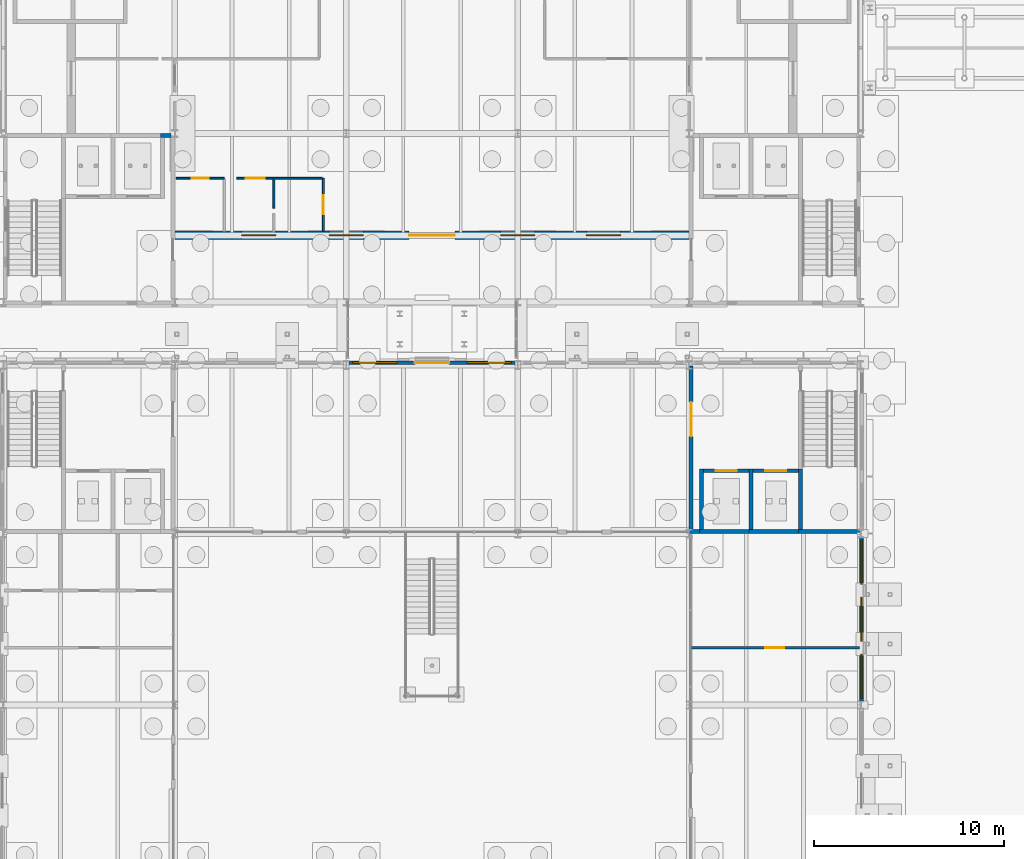
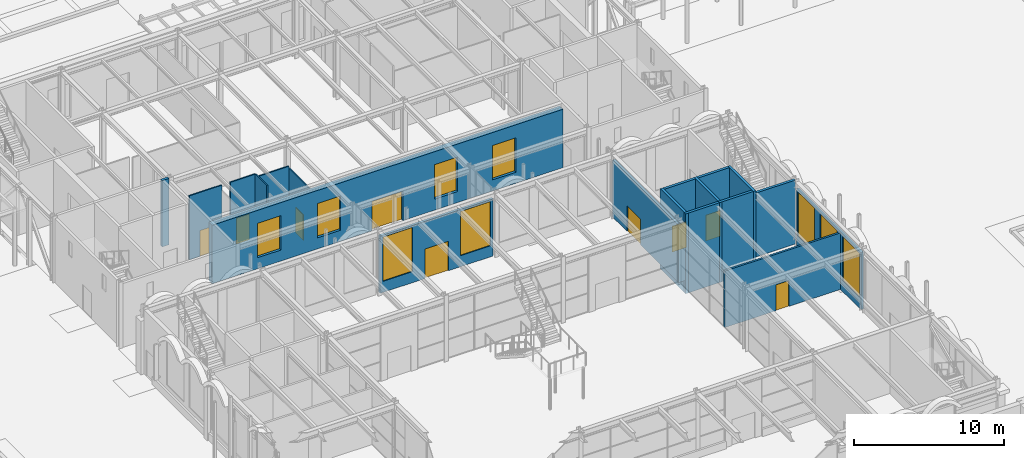
# One storey, part 78 of 126: 20 walls, 9 doors, 9 windows, 18 openings.
"""IFC4 building model written with IfcOpenShell, lengths in metres."""

from ifc_helpers import new_model, si_unit, direction, frame, frame_2d, origin, place, context, subcontext, project, spatial, rectangle, extrude, material, layer, layer_set, type_object, element, fill, save


model = new_model("IFC4")

# Units and contexts
model_context = context("Model", 3, precision=1e-05, world=origin(), true_north=direction((0.0, 1.0)))
body_context = subcontext(model_context, "Body", "Model", "MODEL_VIEW")
ifc_project = project(units=[si_unit("LENGTHUNIT", "METRE"), si_unit("AREAUNIT", "SQUARE_METRE"), si_unit("VOLUMEUNIT", "CUBIC_METRE"), si_unit("PLANEANGLEUNIT", "RADIAN"), si_unit("MASSUNIT", "GRAM", prefix="KILO")], contexts=[model_context])

# Site, building, storey
site_placement = place(None, origin())
site = spatial("IfcSite", under=ifc_project, at=site_placement, CompositionType="ELEMENT")
building_placement = place(site_placement, origin())
building = spatial("IfcBuilding", under=site, at=building_placement, Name="Kallimachos Central Library", CompositionType="ELEMENT")
storey_placement = place(building_placement, origin())
storey = spatial("IfcBuildingStorey", under=building, at=storey_placement, Name="L00", CompositionType="ELEMENT", Elevation=0.0)

# Wall, openings, windows, door
ifc_material_1 = material(Name="Bronze-anodised aluminium louvres on blockwork", Category="masonry")
ifc_layer_1 = layer(ifc_material_1, 0.449951171875)
ifc_layer_set_1 = layer_set([ifc_layer_1], Name="Bronze louvre enclosure wall 450")
wall_type_1 = type_object("IfcWallType", Name="Bronze louvre enclosure wall 450", PredefinedType="SOLIDWALL", material=ifc_layer_set_1)
wall_1_placement = place(storey_placement, frame((74.5, 90.64990234375, 0.0), z_axis=(0.0, 0.0, 1.0), x_axis=(1.0, 0.0, 0.0)))
wall_1 = element("IfcWall", 1, at=wall_1_placement, inside=storey, type_object=wall_type_1, Name="Louvre enclosure wall S L00", PredefinedType="SOLIDWALL", context=body_context, shape_type="SweptSolid", body=[
    extrude(rectangle(XDim=27.0, YDim=0.449951171875, at=frame_2d((13.5, 0.0))), origin(), (0.0, 0.0, 1.0), 4.760009765625),
])
opening_1_placement = place(wall_1_placement, frame((12.300048828125, 0.0, 0.0)))
opening_1 = element("IfcOpeningElement", 2, at=opening_1_placement, cuts=wall_1, Name="Opening D54", PredefinedType="OPENING", context=body_context, shape_type="SweptSolid", body=[
    extrude(rectangle(XDim=2.39990234375, YDim=2.39990234375, at=frame_2d((1.199951171875, 1.199951171875))), frame((0.0, 0.23486328125, 0.0), z_axis=(0.0, -1.0, 0.0), x_axis=(1.0, 0.0, 0.0)), (0.0, 0.0, 1.0), 0.469970703125),
])
opening_2_placement = place(wall_1_placement, frame((3.5, 0.0, 0.89990234375)))
opening_2 = element("IfcOpeningElement", 3, at=opening_2_placement, cuts=wall_1, Name="Opening W29", PredefinedType="OPENING", context=body_context, shape_type="SweptSolid", body=[
    extrude(rectangle(XDim=1.800048828125, YDim=2.800048828125, at=frame_2d((0.89990234375, 1.39990234375))), frame((0.0, 0.23486328125, 0.0), z_axis=(0.0, -1.0, 0.0), x_axis=(1.0, 0.0, 0.0)), (0.0, 0.0, 1.0), 0.469970703125),
])
opening_3_placement = place(wall_1_placement, frame((8.10009765625, 0.0, 0.89990234375)))
opening_3 = element("IfcOpeningElement", 4, at=opening_3_placement, cuts=wall_1, Name="Opening W30", PredefinedType="OPENING", context=body_context, shape_type="SweptSolid", body=[
    extrude(rectangle(XDim=1.800048828125, YDim=2.800048828125, at=frame_2d((0.89990234375, 1.39990234375))), frame((0.0, 0.23486328125, 0.0), z_axis=(0.0, -1.0, 0.0), x_axis=(1.0, 0.0, 0.0)), (0.0, 0.0, 1.0), 0.469970703125),
])
opening_4_placement = place(wall_1_placement, frame((17.10009765625, 0.0, 0.89990234375)))
opening_4 = element("IfcOpeningElement", 5, at=opening_4_placement, cuts=wall_1, Name="Opening W32", PredefinedType="OPENING", context=body_context, shape_type="SweptSolid", body=[
    extrude(rectangle(XDim=1.800048828125, YDim=2.800048828125, at=frame_2d((0.89990234375, 1.39990234375))), frame((0.0, 0.23486328125, 0.0), z_axis=(0.0, -1.0, 0.0), x_axis=(1.0, 0.0, 0.0)), (0.0, 0.0, 1.0), 0.469970703125),
])
opening_5_placement = place(wall_1_placement, frame((21.60009765625, 0.0, 0.89990234375)))
opening_5 = element("IfcOpeningElement", 6, at=opening_5_placement, cuts=wall_1, Name="Opening W33", PredefinedType="OPENING", context=body_context, shape_type="SweptSolid", body=[
    extrude(rectangle(XDim=1.800048828125, YDim=2.800048828125, at=frame_2d((0.89990234375, 1.39990234375))), frame((0.0, 0.23486328125, 0.0), z_axis=(0.0, -1.0, 0.0), x_axis=(1.0, 0.0, 0.0)), (0.0, 0.0, 1.0), 0.469970703125),
])
ifc_material_2 = material(Name="Laminated glass in bronze-anodised aluminium frame", Category="aluminium")
window_type_1 = type_object("IfcWindowType", Name="Base window 1800x2800", PartitioningType="SINGLE_PANEL", PredefinedType="WINDOW", material=ifc_material_2)
window_1_placement = place(opening_2_placement, origin())
window_1 = element("IfcWindow", 7, at=window_1_placement, inside=storey, type_object=window_type_1, Name="V1-WIN-L00-001", OverallHeight=2.800048828125, OverallWidth=1.800048828125, PartitioningType="SINGLE_PANEL", PredefinedType="WINDOW", context=body_context, shape_type="SweptSolid", body=[
    extrude(rectangle(XDim=1.800048828125, YDim=2.800048828125, at=frame_2d((0.89990234375, 1.39990234375))), frame((0.0, 0.030029296875, 0.0), z_axis=(0.0, -1.0, 0.0), x_axis=(1.0, 0.0, 0.0)), (0.0, 0.0, 1.0), 0.06005859375),
])
fill(opening_2, window_1)
window_2_placement = place(opening_3_placement, origin())
window_2 = element("IfcWindow", 8, at=window_2_placement, inside=storey, type_object=window_type_1, Name="V1-WIN-L00-002", OverallHeight=2.800048828125, OverallWidth=1.800048828125, PartitioningType="SINGLE_PANEL", PredefinedType="WINDOW", context=body_context, shape_type="SweptSolid", body=[
    extrude(rectangle(XDim=1.800048828125, YDim=2.800048828125, at=frame_2d((0.89990234375, 1.39990234375))), frame((0.0, 0.030029296875, 0.0), z_axis=(0.0, -1.0, 0.0), x_axis=(1.0, 0.0, 0.0)), (0.0, 0.0, 1.0), 0.06005859375),
])
fill(opening_3, window_2)
window_3_placement = place(opening_4_placement, origin())
window_3 = element("IfcWindow", 9, at=window_3_placement, inside=storey, type_object=window_type_1, Name="V1-WIN-L00-003", OverallHeight=2.800048828125, OverallWidth=1.800048828125, PartitioningType="SINGLE_PANEL", PredefinedType="WINDOW", context=body_context, shape_type="SweptSolid", body=[
    extrude(rectangle(XDim=1.800048828125, YDim=2.800048828125, at=frame_2d((0.89990234375, 1.39990234375))), frame((0.0, 0.030029296875, 0.0), z_axis=(0.0, -1.0, 0.0), x_axis=(1.0, 0.0, 0.0)), (0.0, 0.0, 1.0), 0.06005859375),
])
fill(opening_4, window_3)
window_4_placement = place(opening_5_placement, origin())
window_4 = element("IfcWindow", 10, at=window_4_placement, inside=storey, type_object=window_type_1, Name="V1-WIN-L00-004", OverallHeight=2.800048828125, OverallWidth=1.800048828125, PartitioningType="SINGLE_PANEL", PredefinedType="WINDOW", context=body_context, shape_type="SweptSolid", body=[
    extrude(rectangle(XDim=1.800048828125, YDim=2.800048828125, at=frame_2d((0.89990234375, 1.39990234375))), frame((0.0, 0.030029296875, 0.0), z_axis=(0.0, -1.0, 0.0), x_axis=(1.0, 0.0, 0.0)), (0.0, 0.0, 1.0), 0.06005859375),
])
fill(opening_5, window_4)
ifc_material_3 = material(Name="Glass and anodised aluminium", Category="aluminium")
door_type_1 = type_object("IfcDoorType", Name="Glazed double door 2400 x 2400", OperationType="DOUBLE_DOOR_SINGLE_SWING", PredefinedType="DOOR", material=ifc_material_3)
door_1_placement = place(opening_1_placement, frame((2.39990234375, 0.0, 0.0), z_axis=(0.0, 0.0, 1.0), x_axis=(-1.0, 0.0, 0.0)))
door_1 = element("IfcDoor", 11, at=door_1_placement, inside=storey, type_object=door_type_1, Name="Link Door K2", OperationType="DOUBLE_DOOR_SINGLE_SWING", OverallHeight=2.39990234375, OverallWidth=2.39990234375, PredefinedType="DOOR", context=body_context, shape_type="SweptSolid", body=[
    extrude(rectangle(XDim=2.39990234375, YDim=2.39990234375, at=frame_2d((1.199951171875, 1.199951171875))), frame((0.0, 0.02490234375, 0.0), z_axis=(0.0, -1.0, 0.0), x_axis=(1.0, 0.0, 0.0)), (0.0, 0.0, 1.0), 0.050048828125),
])
fill(opening_1, door_1)

# Wall
ifc_material_4 = material(Name="Concrete C30/37", Category="concrete")
ifc_layer_2 = layer(ifc_material_4, 0.199951171875)
ifc_layer_set_2 = layer_set([ifc_layer_2], Name="Core wall 200")
wall_type_2 = type_object("IfcWallType", Name="Core wall 200", PredefinedType="SOLIDWALL", material=ifc_layer_set_2)
wall_2_placement = place(storey_placement, frame((73.75, 95.89990234375, 0.0), z_axis=(0.0, 0.0, 1.0), x_axis=(1.0, 0.0, 0.0)))
element("IfcWall", 12, at=wall_2_placement, inside=storey, type_object=wall_type_2, Name="Core wall V1-SW N", PredefinedType="SOLIDWALL", context=body_context, shape_type="SweptSolid", body=[
    extrude(rectangle(XDim=0.550048828125, YDim=0.199951171875, at=frame_2d((0.27490234375, 0.0))), origin(), (0.0, 0.0, 1.0), 5.39990234375),
])

# Wall, opening, door
ifc_material_5 = material(Name="Concrete C30/37", Category="concrete")
ifc_layer_3 = layer(ifc_material_5, 0.199951171875)
ifc_layer_set_3 = layer_set([ifc_layer_3], Name="Lift shaft wall 200")
wall_type_3 = type_object("IfcWallType", Name="Lift shaft wall 200", PredefinedType="SOLIDWALL", material=ifc_layer_set_3)
wall_3_placement = place(storey_placement, frame((104.64990234375, 78.300048828125, -1.10009765625), z_axis=(0.0, 0.0, 1.0), x_axis=(1.0, 0.0, 0.0)))
wall_3 = element("IfcWall", 13, at=wall_3_placement, inside=storey, type_object=wall_type_3, Name="V4-WAL-L00-008", PredefinedType="SOLIDWALL", context=body_context, shape_type="SweptSolid", body=[
    extrude(rectangle(XDim=2.60009765625, YDim=0.199951171875, at=frame_2d((1.300048828125, 0.0))), origin(), (0.0, 0.0, 1.0), 6.5),
])
opening_6_placement = place(wall_3_placement, frame((0.85009765625, 0.0, 1.10009765625)))
opening_6 = element("IfcOpeningElement", 14, at=opening_6_placement, cuts=wall_3, Name="Opening LD1100", PredefinedType="OPENING", context=body_context, shape_type="SweptSolid", body=[
    extrude(rectangle(XDim=1.10009765625, YDim=2.10009765625, at=frame_2d((0.550048828125, 1.050048828125))), frame((0.0, 0.10986328125, 0.0), z_axis=(0.0, -1.0, 0.0), x_axis=(1.0, 0.0, 0.0)), (0.0, 0.0, 1.0), 0.219970703125),
])
ifc_material_6 = material(Name="Stainless steel", Category="steel")
door_type_2 = type_object("IfcDoorType", Name="Lift landing door 1100 x 2100", OperationType="SLIDING_TO_LEFT", PredefinedType="DOOR", material=ifc_material_6)
door_2_placement = place(opening_6_placement, origin())
door_2 = element("IfcDoor", 15, at=door_2_placement, inside=storey, type_object=door_type_2, Name="LF9 landing door L00", OperationType="SLIDING_TO_LEFT", OverallHeight=2.10009765625, OverallWidth=1.10009765625, PredefinedType="DOOR", context=body_context, shape_type="SweptSolid", body=[
    extrude(rectangle(XDim=1.10009765625, YDim=2.10009765625, at=frame_2d((0.550048828125, 1.050048828125))), frame((0.0, 0.02490234375, 0.0), z_axis=(0.0, -1.0, 0.0), x_axis=(1.0, 0.0, 0.0)), (0.0, 0.0, 1.0), 0.050048828125),
])
fill(opening_6, door_2)

# Walls
wall_4_placement = place(storey_placement, frame((104.64990234375, 75.10009765625, -1.10009765625), z_axis=(0.0, 0.0, 1.0), x_axis=(1.0, 0.0, 0.0)))
element("IfcWall", 16, at=wall_4_placement, inside=storey, type_object=wall_type_3, Name="V4-WAL-L00-009", PredefinedType="SOLIDWALL", context=body_context, shape_type="SweptSolid", body=[
    extrude(rectangle(XDim=2.60009765625, YDim=0.199951171875, at=frame_2d((1.300048828125, 0.0))), origin(), (0.0, 0.0, 1.0), 6.5),
])
for number, where, z_axis, x_axis, name in (
    (17, (104.75, 75.0, -1.10009765625), (0.0, 0.0, 1.0), (0.0, 1.0, 0.0), "V4-WAL-L00-010"),
    (18, (107.35009765625, 75.0, -1.10009765625), (0.0, 0.0, 1.0), (0.0, 1.0, 0.0), "V4-WAL-L00-011"),
):
    element("IfcWall", number, at=place(storey_placement, frame(where, z_axis=z_axis, x_axis=x_axis)), inside=storey, type_object=wall_type_3, Name=name, PredefinedType="SOLIDWALL", context=body_context, shape_type="SweptSolid", body=[
        extrude(rectangle(XDim=3.39990234375, YDim=0.199951171875, at=frame_2d((1.699951171875, 0.0))), origin(), (0.0, 0.0, 1.0), 6.5),
    ])

# Wall, opening, door
wall_5_placement = place(storey_placement, frame((102.25, 78.300048828125, -1.10009765625), z_axis=(0.0, 0.0, 1.0), x_axis=(1.0, 0.0, 0.0)))
wall_5 = element("IfcWall", 19, at=wall_5_placement, inside=storey, type_object=wall_type_3, Name="V4-WAL-L00-012", PredefinedType="SOLIDWALL", context=body_context, shape_type="SweptSolid", body=[
    extrude(rectangle(XDim=2.39990234375, YDim=0.199951171875, at=frame_2d((1.199951171875, 0.0))), origin(), (0.0, 0.0, 1.0), 6.5),
])
opening_7_placement = place(wall_5_placement, frame((0.64990234375, 0.0, 1.10009765625)))
opening_7 = element("IfcOpeningElement", 20, at=opening_7_placement, cuts=wall_5, Name="Opening LD1100", PredefinedType="OPENING", context=body_context, shape_type="SweptSolid", body=[
    extrude(rectangle(XDim=1.10009765625, YDim=2.10009765625, at=frame_2d((0.550048828125, 1.050048828125))), frame((0.0, 0.10986328125, 0.0), z_axis=(0.0, -1.0, 0.0), x_axis=(1.0, 0.0, 0.0)), (0.0, 0.0, 1.0), 0.219970703125),
])
door_3_placement = place(opening_7_placement, origin())
door_3 = element("IfcDoor", 21, at=door_3_placement, inside=storey, type_object=door_type_2, Name="LF10 landing door L00", OperationType="SLIDING_TO_LEFT", OverallHeight=2.10009765625, OverallWidth=1.10009765625, PredefinedType="DOOR", context=body_context, shape_type="SweptSolid", body=[
    extrude(rectangle(XDim=1.10009765625, YDim=2.10009765625, at=frame_2d((0.550048828125, 1.050048828125))), frame((0.0, 0.02490234375, 0.0), z_axis=(0.0, -1.0, 0.0), x_axis=(1.0, 0.0, 0.0)), (0.0, 0.0, 1.0), 0.050048828125),
])
fill(opening_7, door_3)

# Walls
wall_6_placement = place(storey_placement, frame((102.050048828125, 75.10009765625, -1.10009765625), z_axis=(0.0, 0.0, 1.0), x_axis=(1.0, 0.0, 0.0)))
element("IfcWall", 22, at=wall_6_placement, inside=storey, type_object=wall_type_3, Name="V4-WAL-L00-013", PredefinedType="SOLIDWALL", context=body_context, shape_type="SweptSolid", body=[
    extrude(rectangle(XDim=2.599853515625, YDim=0.199951171875, at=frame_2d((1.2998046875, 0.0))), origin(), (0.0, 0.0, 1.0), 6.5),
])
wall_7_placement = place(storey_placement, frame((102.14990234375, 75.0, -1.10009765625), z_axis=(0.0, 0.0, 1.0), x_axis=(0.0, 1.0, 0.0)))
element("IfcWall", 23, at=wall_7_placement, inside=storey, type_object=wall_type_3, Name="V4-WAL-L00-014", PredefinedType="SOLIDWALL", context=body_context, shape_type="SweptSolid", body=[
    extrude(rectangle(XDim=3.39990234375, YDim=0.199951171875, at=frame_2d((1.699951171875, 0.0))), origin(), (0.0, 0.0, 1.0), 6.5),
])

# Wall, opening, door
ifc_material_7 = material(Name="Plasterboard on steel studs", Category="steel")
ifc_layer_4 = layer(ifc_material_7, 0.10009765625)
ifc_layer_set_4 = layer_set([ifc_layer_4], Name="Partition 100")
wall_type_4 = type_object("IfcWallType", Name="Partition 100", PredefinedType="PARTITIONING", material=ifc_layer_set_4)
wall_8_placement = place(storey_placement, frame((82.300048828125, 90.875, 0.0), z_axis=(0.0, 0.0, 1.0), x_axis=(0.0, 1.0, 0.0)))
wall_8 = element("IfcWall", 24, at=wall_8_placement, inside=storey, type_object=wall_type_4, Name="Partition", PredefinedType="PARTITIONING", context=body_context, shape_type="SweptSolid", body=[
    extrude(rectangle(XDim=2.77490234375, YDim=0.10009765625, at=frame_2d((1.387451171875, 0.0))), origin(), (0.0, 0.0, 1.0), 4.760009765625),
])
opening_8_placement = place(wall_8_placement, frame((0.887451171875, 0.0, 0.0)))
opening_8 = element("IfcOpeningElement", 25, at=opening_8_placement, cuts=wall_8, Name="Opening D248", PredefinedType="OPENING", context=body_context, shape_type="SweptSolid", body=[
    extrude(rectangle(XDim=1.0, YDim=2.10009765625, at=frame_2d((0.5, 1.050048828125))), frame((0.0, 0.06005859375, 0.0), z_axis=(0.0, -1.0, 0.0), x_axis=(1.0, 0.0, 0.0)), (0.0, 0.0, 1.0), 0.1201171875),
])
ifc_material_8 = material(Name="Oak veneered door leaf")
door_type_3 = type_object("IfcDoorType", Name="Single leaf door EI2 30 1000 x 2100", OperationType="NOTDEFINED", PredefinedType="DOOR", material=ifc_material_8)
door_4_placement = place(opening_8_placement, origin())
door_4 = element("IfcDoor", 26, at=door_4_placement, inside=storey, type_object=door_type_3, Name="V1-DOR-L00-024", OperationType="SINGLE_SWING_LEFT", OverallHeight=2.10009765625, OverallWidth=1.0, PredefinedType="DOOR", context=body_context, shape_type="SweptSolid", body=[
    extrude(rectangle(XDim=1.0, YDim=2.10009765625, at=frame_2d((0.5, 1.050048828125))), frame((0.0, 0.02490234375, 0.0), z_axis=(0.0, -1.0, 0.0), x_axis=(1.0, 0.0, 0.0)), (0.0, 0.0, 1.0), 0.050048828125),
])
fill(opening_8, door_4)

# Wall
wall_9_placement = place(storey_placement, frame((82.25, 93.64990234375, 0.0), z_axis=(0.0, 0.0, 1.0), x_axis=(-1.0, 0.0, 0.0)))
element("IfcWall", 27, at=wall_9_placement, inside=storey, type_object=wall_type_4, Name="Partition", PredefinedType="PARTITIONING", context=body_context, shape_type="SweptSolid", body=[
    extrude(rectangle(XDim=2.550048828125, YDim=0.10009765625, at=frame_2d((1.27490234375, 0.0))), origin(), (0.0, 0.0, 1.0), 4.929931640625),
])

# Wall, opening, door
wall_10_placement = place(storey_placement, frame((79.699951171875, 93.64990234375, 0.0), z_axis=(0.0, 0.0, 1.0), x_axis=(-1.0, 0.0, 0.0)))
wall_10 = element("IfcWall", 28, at=wall_10_placement, inside=storey, type_object=wall_type_4, Name="Partition", PredefinedType="PARTITIONING", context=body_context, shape_type="SweptSolid", body=[
    extrude(rectangle(XDim=1.9609375, YDim=0.10009765625, at=frame_2d((0.98046875, 0.0))), origin(), (0.0, 0.0, 1.0), 5.199951171875),
])
opening_9_placement = place(wall_10_placement, frame((0.48046875, 0.0, 0.0)))
opening_9 = element("IfcOpeningElement", 29, at=opening_9_placement, cuts=wall_10, Name="Opening D247", PredefinedType="OPENING", context=body_context, shape_type="SweptSolid", body=[
    extrude(rectangle(XDim=1.0, YDim=2.10009765625, at=frame_2d((0.5, 1.050048828125))), frame((0.0, 0.06005859375, 0.0), z_axis=(0.0, -1.0, 0.0), x_axis=(1.0, 0.0, 0.0)), (0.0, 0.0, 1.0), 0.1201171875),
])
door_5_placement = place(opening_9_placement, origin())
door_5 = element("IfcDoor", 30, at=door_5_placement, inside=storey, type_object=door_type_3, Name="V1-DOR-L00-023", OperationType="SINGLE_SWING_RIGHT", OverallHeight=2.10009765625, OverallWidth=1.0, PredefinedType="DOOR", context=body_context, shape_type="SweptSolid", body=[
    extrude(rectangle(XDim=1.0, YDim=2.10009765625, at=frame_2d((0.5, 1.050048828125))), frame((0.0, 0.02490234375, 0.0), z_axis=(0.0, -1.0, 0.0), x_axis=(1.0, 0.0, 0.0)), (0.0, 0.0, 1.0), 0.050048828125),
])
fill(opening_9, door_5)

wall_11_placement = place(storey_placement, frame((77.10009765625, 93.64990234375, 0.0), z_axis=(0.0, 0.0, 1.0), x_axis=(-1.0, 0.0, 0.0)))
wall_11 = element("IfcWall", 31, at=wall_11_placement, inside=storey, type_object=wall_type_4, Name="Partition", PredefinedType="PARTITIONING", context=body_context, shape_type="SweptSolid", body=[
    extrude(rectangle(XDim=2.52001953125, YDim=0.10009765625, at=frame_2d((1.260009765625, 0.0))), origin(), (0.0, 0.0, 1.0), 5.199951171875),
])
opening_10_placement = place(wall_11_placement, frame((0.81005859375, 0.0, 0.0)))
opening_10 = element("IfcOpeningElement", 32, at=opening_10_placement, cuts=wall_11, Name="Opening D246", PredefinedType="OPENING", context=body_context, shape_type="SweptSolid", body=[
    extrude(rectangle(XDim=0.89990234375, YDim=2.10009765625, at=frame_2d((0.449951171875, 1.050048828125))), frame((0.0, 0.06005859375, 0.0), z_axis=(0.0, -1.0, 0.0), x_axis=(1.0, 0.0, 0.0)), (0.0, 0.0, 1.0), 0.1201171875),
])
ifc_material_9 = material(Name="Oak veneered door leaf")
door_type_4 = type_object("IfcDoorType", Name="Accessible WC door EI2 30 900 x 2100", OperationType="NOTDEFINED", PredefinedType="DOOR", material=ifc_material_9)
door_6_placement = place(opening_10_placement, origin())
door_6 = element("IfcDoor", 33, at=door_6_placement, inside=storey, type_object=door_type_4, Name="V1-DOR-L00-022", OperationType="SINGLE_SWING_RIGHT", OverallHeight=2.10009765625, OverallWidth=0.89990234375, PredefinedType="DOOR", context=body_context, shape_type="SweptSolid", body=[
    extrude(rectangle(XDim=0.89990234375, YDim=2.10009765625, at=frame_2d((0.449951171875, 1.050048828125))), frame((0.0, 0.02490234375, 0.0), z_axis=(0.0, -1.0, 0.0), x_axis=(1.0, 0.0, 0.0)), (0.0, 0.0, 1.0), 0.050048828125),
])
fill(opening_10, door_6)

# Wall
wall_12_placement = place(storey_placement, frame((79.699951171875, 93.60009765625, 0.0), z_axis=(0.0, 0.0, 1.0), x_axis=(0.0, -1.0, 0.0)))
element("IfcWall", 34, at=wall_12_placement, inside=storey, type_object=wall_type_4, Name="Partition", PredefinedType="PARTITIONING", context=body_context, shape_type="SweptSolid", body=[
    extrude(rectangle(XDim=1.51171875, YDim=0.10009765625, at=frame_2d((0.755859375, 0.0))), origin(), (0.0, 0.0, 1.0), 5.199951171875),
])

# Wall, opening, door
ifc_material_10 = material(Name="Gypsum board on steel studs", Category="steel")
ifc_layer_5 = layer(ifc_material_10, 0.14990234375)
ifc_layer_set_5 = layer_set([ifc_layer_5], Name="Partition wall 150")
wall_type_5 = type_object("IfcWallType", Name="Partition wall 150", PredefinedType="PARTITIONING", material=ifc_layer_set_5)
wall_13_placement = place(storey_placement, frame((101.550048828125, 69.0, 0.0), z_axis=(0.0, 0.0, 1.0), x_axis=(1.0, 0.0, 0.0)))
wall_13 = element("IfcWall", 35, at=wall_13_placement, inside=storey, type_object=wall_type_5, Name="L00 partition", PredefinedType="PARTITIONING", context=body_context, shape_type="SweptSolid", body=[
    extrude(rectangle(XDim=8.89990234375, YDim=0.14990234375, at=frame_2d((4.449951171875, 0.0))), origin(), (0.0, 0.0, 1.0), 4.60009765625),
])
opening_11_placement = place(wall_13_placement, frame((3.949951171875, 0.0, 0.0)))
opening_11 = element("IfcOpeningElement", 36, at=opening_11_placement, cuts=wall_13, Name="Opening D188", PredefinedType="OPENING", context=body_context, shape_type="SweptSolid", body=[
    extrude(rectangle(XDim=1.0, YDim=2.10009765625, at=frame_2d((0.5, 1.050048828125))), frame((0.0, 0.0849609375, 0.0), z_axis=(0.0, -1.0, 0.0), x_axis=(1.0, 0.0, 0.0)), (0.0, 0.0, 1.0), 0.169921875),
])
ifc_material_11 = material(Name="Timber", Category="wood")
door_type_5 = type_object("IfcDoorType", Name="Single leaf door 1000 x 2100, EI2 30", OperationType="NOTDEFINED", PredefinedType="DOOR", material=ifc_material_11)
door_7_placement = place(opening_11_placement, origin())
door_7 = element("IfcDoor", 37, at=door_7_placement, inside=storey, type_object=door_type_5, Name="L00 door Photocopy and Print Room", OperationType="SINGLE_SWING_LEFT", OverallHeight=2.10009765625, OverallWidth=1.0, PredefinedType="DOOR", context=body_context, shape_type="SweptSolid", body=[
    extrude(rectangle(XDim=1.0, YDim=2.10009765625, at=frame_2d((0.5, 1.050048828125))), frame((0.0, 0.02490234375, 0.0), z_axis=(0.0, -1.0, 0.0), x_axis=(1.0, 0.0, 0.0)), (0.0, 0.0, 1.0), 0.050048828125),
])
fill(opening_11, door_7)

# Walls
ifc_material_12 = material(Name="Concrete C35/45", Category="concrete")
ifc_layer_6 = layer(ifc_material_12, 0.199951171875)
ifc_layer_set_6 = layer_set([ifc_layer_6], Name="Shear core wall 200, internal")
wall_type_6 = type_object("IfcWallType", Name="Shear core wall 200, internal", PredefinedType="SHEAR", material=ifc_layer_set_6)
wall_14_placement = place(storey_placement, frame((101.5, 75.10009765625, 0.0), z_axis=(0.0, 0.0, 1.0), x_axis=(1.0, 0.0, 0.0)))
element("IfcWall", 38, at=wall_14_placement, inside=storey, type_object=wall_type_6, Name="L00 core wall V4-NE S", PredefinedType="SHEAR", context=body_context, shape_type="SweptSolid", body=[
    extrude(rectangle(XDim=0.550048828125, YDim=0.199951171875, at=frame_2d((0.27490234375, 0.0))), origin(), (0.0, 0.0, 1.0), 4.64990234375),
])
wall_15_placement = place(storey_placement, frame((107.25, 75.10009765625, 0.0), z_axis=(0.0, 0.0, 1.0), x_axis=(1.0, 0.0, 0.0)))
element("IfcWall", 39, at=wall_15_placement, inside=storey, type_object=wall_type_6, Name="L00 core wall V4-NE S2", PredefinedType="SHEAR", context=body_context, shape_type="SweptSolid", body=[
    extrude(rectangle(XDim=3.25, YDim=0.199951171875, at=frame_2d((1.625, 0.0))), origin(), (0.0, 0.0, 1.0), 5.199951171875),
])

# Wall, opening, door
wall_16_placement = place(storey_placement, frame((101.60009765625, 75.199951171875, 0.0), z_axis=(0.0, 0.0, 1.0), x_axis=(0.0, 1.0, 0.0)))
wall_16 = element("IfcWall", 40, at=wall_16_placement, inside=storey, type_object=wall_type_6, Name="L00 core wall V4-NE E", PredefinedType="SHEAR", context=body_context, shape_type="SweptSolid", body=[
    extrude(rectangle(XDim=8.60009765625, YDim=0.199951171875, at=frame_2d((4.300048828125, 0.0))), origin(), (0.0, 0.0, 1.0), 4.64990234375),
])
opening_12_placement = place(wall_16_placement, frame((4.89990234375, 0.0, 0.0)))
opening_12 = element("IfcOpeningElement", 41, at=opening_12_placement, cuts=wall_16, Name="Opening D157", PredefinedType="OPENING", context=body_context, shape_type="SweptSolid", body=[
    extrude(rectangle(XDim=1.800048828125, YDim=2.10009765625, at=frame_2d((0.89990234375, 1.050048828125))), frame((0.0, 0.10986328125, 0.0), z_axis=(0.0, -1.0, 0.0), x_axis=(1.0, 0.0, 0.0)), (0.0, 0.0, 1.0), 0.219970703125),
])
ifc_material_13 = material(Name="Timber and glass", Category="wood")
door_type_6 = type_object("IfcDoorType", Name="Double leaf door 1800 x 2100, EI2 90", OperationType="DOUBLE_DOOR_SINGLE_SWING", PredefinedType="DOOR", material=ifc_material_13)
door_8_placement = place(opening_12_placement, origin())
door_8 = element("IfcDoor", 42, at=door_8_placement, inside=storey, type_object=door_type_6, Name="L00 core door V4-NE", OperationType="DOUBLE_DOOR_SINGLE_SWING", OverallHeight=2.10009765625, OverallWidth=1.800048828125, PredefinedType="DOOR", context=body_context, shape_type="SweptSolid", body=[
    extrude(rectangle(XDim=1.800048828125, YDim=2.10009765625, at=frame_2d((0.89990234375, 1.050048828125))), frame((0.0, 0.02490234375, 0.0), z_axis=(0.0, -1.0, 0.0), x_axis=(1.0, 0.0, 0.0)), (0.0, 0.0, 1.0), 0.050048828125),
])
fill(opening_12, door_8)

# Wall, openings, door, windows
ifc_material_14 = material(Name="Brick masonry with Pentelic marble cladding", Category="masonry")
ifc_layer_7 = layer(ifc_material_14, 0.199951171875)
ifc_layer_set_7 = layer_set([ifc_layer_7], Name="Stone-clad masonry wall 200")
wall_type_7 = type_object("IfcWallType", Name="Stone-clad masonry wall 200", PredefinedType="SOLIDWALL", material=ifc_layer_set_7)
wall_17_placement = place(storey_placement, frame((83.653564453125, 83.966064453125, 0.0), z_axis=(0.0, 0.0, 1.0), x_axis=(1.0, 0.0, 0.0)))
wall_17 = element("IfcWall", 43, at=wall_17_placement, inside=storey, type_object=wall_type_7, Name="V4-WAL-L00-022", PredefinedType="SOLIDWALL", context=body_context, shape_type="SweptSolid", body=[
    extrude(rectangle(XDim=8.69287109375, YDim=0.199951171875, at=frame_2d((4.346435546875, 0.0))), origin(), (0.0, 0.0, 1.0), 4.64990234375),
])
opening_13_placement = place(wall_17_placement, frame((3.446533203125, 0.0, 0.0)))
opening_13 = element("IfcOpeningElement", 44, at=opening_13_placement, cuts=wall_17, Name="Opening D28", PredefinedType="OPENING", context=body_context, shape_type="SweptSolid", body=[
    extrude(rectangle(XDim=1.800048828125, YDim=2.39990234375, at=frame_2d((0.89990234375, 1.199951171875))), frame((0.0, 0.10986328125, 0.0), z_axis=(0.0, -1.0, 0.0), x_axis=(1.0, 0.0, 0.0)), (0.0, 0.0, 1.0), 0.219970703125),
])
opening_14_placement = place(wall_17_placement, frame((0.196533203125, 0.0, 0.89990234375)))
opening_14 = element("IfcOpeningElement", 45, at=opening_14_placement, cuts=wall_17, Name="Opening WN160", PredefinedType="OPENING", context=body_context, shape_type="SweptSolid", body=[
    extrude(rectangle(XDim=2.300048828125, YDim=3.60009765625, at=frame_2d((1.14990234375, 1.800048828125))), frame((0.0, 0.10986328125, 0.0), z_axis=(0.0, -1.0, 0.0), x_axis=(1.0, 0.0, 0.0)), (0.0, 0.0, 1.0), 0.219970703125),
])
opening_15_placement = place(wall_17_placement, frame((6.196533203125, 0.0, 0.89990234375)))
opening_15 = element("IfcOpeningElement", 46, at=opening_15_placement, cuts=wall_17, Name="Opening WN160", PredefinedType="OPENING", context=body_context, shape_type="SweptSolid", body=[
    extrude(rectangle(XDim=2.300048828125, YDim=3.60009765625, at=frame_2d((1.14990234375, 1.800048828125))), frame((0.0, 0.10986328125, 0.0), z_axis=(0.0, -1.0, 0.0), x_axis=(1.0, 0.0, 0.0)), (0.0, 0.0, 1.0), 0.219970703125),
])
ifc_material_15 = material(Name="Anodised aluminium and laminated glass", Category="aluminium")
door_type_7 = type_object("IfcDoorType", Name="Link door 1800 x 2400", OperationType="DOUBLE_DOOR_SINGLE_SWING", PredefinedType="DOOR", material=ifc_material_15)
door_9_placement = place(opening_13_placement, origin())
door_9 = element("IfcDoor", 47, at=door_9_placement, inside=storey, type_object=door_type_7, Name="Link Door K2", OperationType="DOUBLE_DOOR_SINGLE_SWING", OverallHeight=2.39990234375, OverallWidth=1.800048828125, PredefinedType="DOOR", context=body_context, shape_type="SweptSolid", body=[
    extrude(rectangle(XDim=1.800048828125, YDim=2.39990234375, at=frame_2d((0.89990234375, 1.199951171875))), frame((0.0, 0.02490234375, 0.0), z_axis=(0.0, -1.0, 0.0), x_axis=(1.0, 0.0, 0.0)), (0.0, 0.0, 1.0), 0.050048828125),
])
fill(opening_13, door_9)
ifc_material_16 = material(Name="Anodised aluminium and laminated glass", Category="aluminium")
window_type_2 = type_object("IfcWindowType", Name="Window 2300 x 3600", PartitioningType="DOUBLE_PANEL_VERTICAL", PredefinedType="WINDOW", material=ifc_material_16)
window_5_placement = place(opening_14_placement, origin())
window_5 = element("IfcWindow", 48, at=window_5_placement, inside=storey, type_object=window_type_2, Name="V4-WIN-L00-019", OverallHeight=3.60009765625, OverallWidth=2.300048828125, PartitioningType="SINGLE_PANEL", PredefinedType="WINDOW", context=body_context, shape_type="SweptSolid", body=[
    extrude(rectangle(XDim=2.300048828125, YDim=3.60009765625, at=frame_2d((1.14990234375, 1.800048828125))), frame((0.0, 0.030029296875, 0.0), z_axis=(0.0, -1.0, 0.0), x_axis=(1.0, 0.0, 0.0)), (0.0, 0.0, 1.0), 0.06005859375),
])
fill(opening_14, window_5)
window_6_placement = place(opening_15_placement, origin())
window_6 = element("IfcWindow", 49, at=window_6_placement, inside=storey, type_object=window_type_2, Name="V4-WIN-L00-020", OverallHeight=3.60009765625, OverallWidth=2.300048828125, PartitioningType="SINGLE_PANEL", PredefinedType="WINDOW", context=body_context, shape_type="SweptSolid", body=[
    extrude(rectangle(XDim=2.300048828125, YDim=3.60009765625, at=frame_2d((1.14990234375, 1.800048828125))), frame((0.0, 0.030029296875, 0.0), z_axis=(0.0, -1.0, 0.0), x_axis=(1.0, 0.0, 0.0)), (0.0, 0.0, 1.0), 0.06005859375),
])
fill(opening_15, window_6)

# Wall, openings, windows
wall_18_placement = place(storey_placement, frame((110.550048828125, 66.199951171875, 0.0), z_axis=(0.0, 0.0, 1.0), x_axis=(0.0, 1.0, 0.0)))
wall_18 = element("IfcWall", 50, at=wall_18_placement, inside=storey, type_object=wall_type_7, Name="V4-WAL-L00-031", PredefinedType="SOLIDWALL", context=body_context, shape_type="SweptSolid", body=[
    extrude(rectangle(XDim=8.583984375, YDim=0.199951171875, at=frame_2d((4.2919921875, 0.0))), origin(), (0.0, 0.0, 1.0), 4.64990234375),
])
opening_16_placement = place(wall_18_placement, frame((0.14990234375, 0.0, 0.89990234375)))
opening_16 = element("IfcOpeningElement", 51, at=opening_16_placement, cuts=wall_18, Name="Opening WN160", PredefinedType="OPENING", context=body_context, shape_type="SweptSolid", body=[
    extrude(rectangle(XDim=2.300048828125, YDim=3.60009765625, at=frame_2d((1.14990234375, 1.800048828125))), frame((0.0, 0.10986328125, 0.0), z_axis=(0.0, -1.0, 0.0), x_axis=(1.0, 0.0, 0.0)), (0.0, 0.0, 1.0), 0.219970703125),
])
opening_17_placement = place(wall_18_placement, frame((3.14990234375, 0.0, 0.89990234375)))
opening_17 = element("IfcOpeningElement", 52, at=opening_17_placement, cuts=wall_18, Name="Opening WN160", PredefinedType="OPENING", context=body_context, shape_type="SweptSolid", body=[
    extrude(rectangle(XDim=2.300048828125, YDim=3.60009765625, at=frame_2d((1.14990234375, 1.800048828125))), frame((0.0, 0.10986328125, 0.0), z_axis=(0.0, -1.0, 0.0), x_axis=(1.0, 0.0, 0.0)), (0.0, 0.0, 1.0), 0.219970703125),
])
opening_18_placement = place(wall_18_placement, frame((6.14990234375, 0.0, 0.89990234375)))
opening_18 = element("IfcOpeningElement", 53, at=opening_18_placement, cuts=wall_18, Name="Opening WN160", PredefinedType="OPENING", context=body_context, shape_type="SweptSolid", body=[
    extrude(rectangle(XDim=2.300048828125, YDim=3.60009765625, at=frame_2d((1.14990234375, 1.800048828125))), frame((0.0, 0.10986328125, 0.0), z_axis=(0.0, -1.0, 0.0), x_axis=(1.0, 0.0, 0.0)), (0.0, 0.0, 1.0), 0.219970703125),
])
window_7_placement = place(opening_16_placement, origin())
window_7 = element("IfcWindow", 54, at=window_7_placement, inside=storey, type_object=window_type_2, Name="V4-WIN-L00-040", OverallHeight=3.60009765625, OverallWidth=2.300048828125, PartitioningType="SINGLE_PANEL", PredefinedType="WINDOW", context=body_context, shape_type="SweptSolid", body=[
    extrude(rectangle(XDim=2.300048828125, YDim=3.60009765625, at=frame_2d((1.14990234375, 1.800048828125))), frame((0.0, 0.030029296875, 0.0), z_axis=(0.0, -1.0, 0.0), x_axis=(1.0, 0.0, 0.0)), (0.0, 0.0, 1.0), 0.06005859375),
])
fill(opening_16, window_7)
window_8_placement = place(opening_17_placement, origin())
window_8 = element("IfcWindow", 55, at=window_8_placement, inside=storey, type_object=window_type_2, Name="V4-WIN-L00-041", OverallHeight=3.60009765625, OverallWidth=2.300048828125, PartitioningType="SINGLE_PANEL", PredefinedType="WINDOW", context=body_context, shape_type="SweptSolid", body=[
    extrude(rectangle(XDim=2.300048828125, YDim=3.60009765625, at=frame_2d((1.14990234375, 1.800048828125))), frame((0.0, 0.030029296875, 0.0), z_axis=(0.0, -1.0, 0.0), x_axis=(1.0, 0.0, 0.0)), (0.0, 0.0, 1.0), 0.06005859375),
])
fill(opening_17, window_8)
window_9_placement = place(opening_18_placement, origin())
window_9 = element("IfcWindow", 56, at=window_9_placement, inside=storey, type_object=window_type_2, Name="V4-WIN-L00-042", OverallHeight=3.60009765625, OverallWidth=2.300048828125, PartitioningType="SINGLE_PANEL", PredefinedType="WINDOW", context=body_context, shape_type="SweptSolid", body=[
    extrude(rectangle(XDim=2.300048828125, YDim=3.60009765625, at=frame_2d((1.14990234375, 1.800048828125))), frame((0.0, 0.030029296875, 0.0), z_axis=(0.0, -1.0, 0.0), x_axis=(1.0, 0.0, 0.0)), (0.0, 0.0, 1.0), 0.06005859375),
])
fill(opening_18, window_9)

save(model, "model.ifc")
